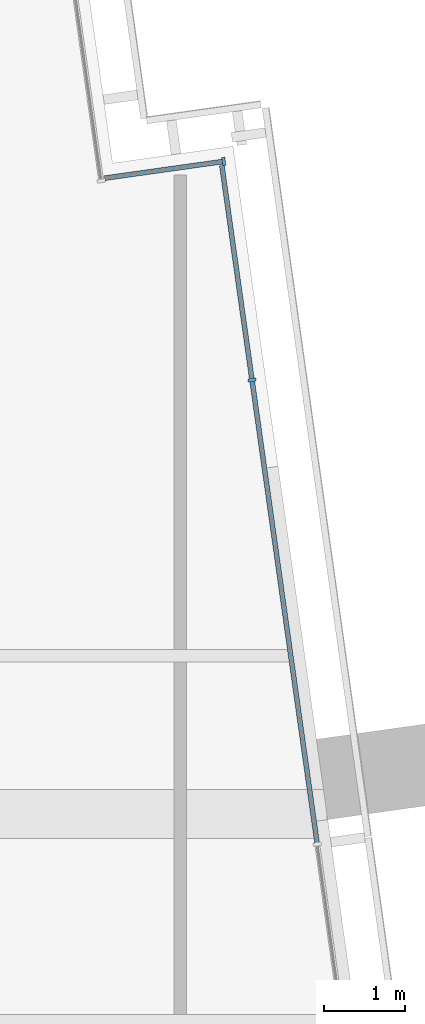
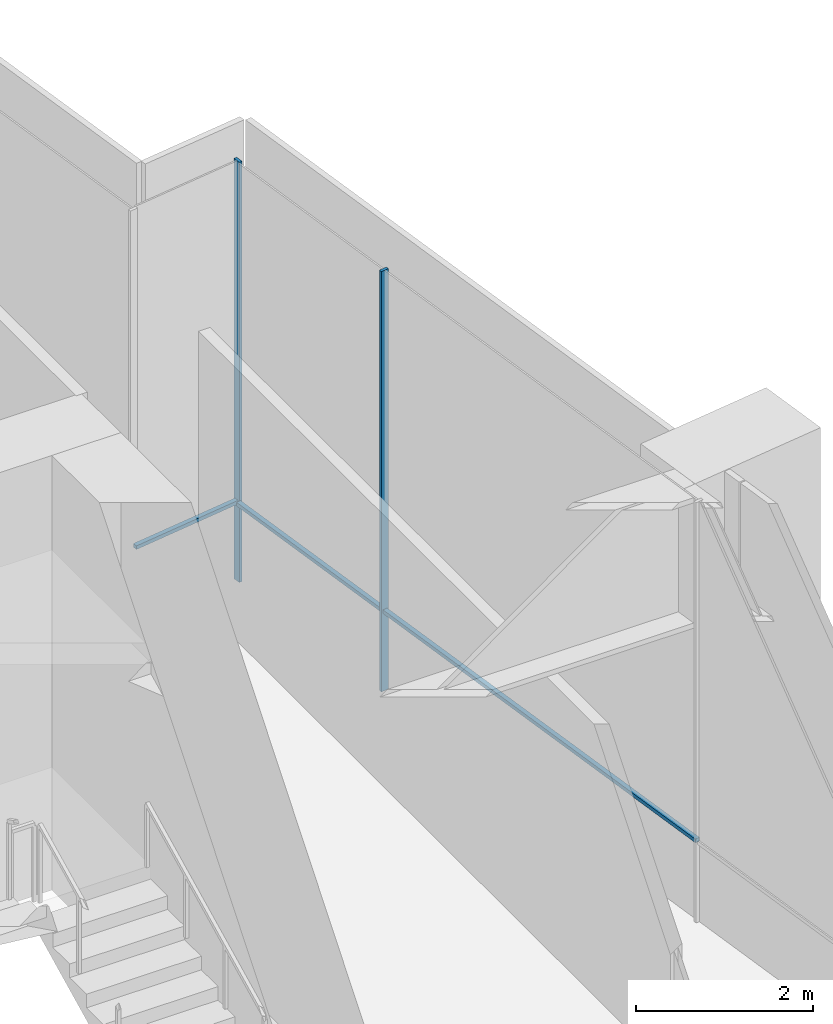
# One storey, part 16 of 25: 5 members, 2 elements without a shape of their own.
"""IFC4 building model written with IfcOpenShell, lengths in metres."""

from ifc_helpers import new_model, si_unit, direction, frame, origin, origin_2d, place, context, subcontext, project, spatial, rectangle, extrude, material, layer, layer_set, material_profile, profile_set, type_object, element, aggregate, save


model = new_model("IFC4")

# Units and contexts
model_context = context("Model", 3, precision=1e-05, world=origin(), true_north=direction((0.0, 1.0)))
body_context = subcontext(model_context, "Body", "Model", "MODEL_VIEW")
ifc_project = project(units=[si_unit("LENGTHUNIT", "METRE"), si_unit("AREAUNIT", "SQUARE_METRE"), si_unit("VOLUMEUNIT", "CUBIC_METRE"), si_unit("PLANEANGLEUNIT", "RADIAN"), si_unit("MASSUNIT", "GRAM", prefix="KILO")], contexts=[model_context])

# Site, building, storey
site_placement = place(None, origin())
site = spatial("IfcSite", under=ifc_project, at=site_placement, CompositionType="ELEMENT")
building_placement = place(site_placement, origin())
building = spatial("IfcBuilding", under=site, at=building_placement, Name="Rattan Terrace Tower", CompositionType="ELEMENT")
storey_placement = place(building_placement, frame((0.0, 0.0, 286.300048828125)))
storey = spatial("IfcBuildingStorey", under=building, at=storey_placement, Name="L66", CompositionType="ELEMENT", Elevation=286.300048828125)

# Curtain wall, member
ifc_material_1 = material(Name="Aluminium and structural silicone glass", Category="aluminium")
ifc_layer = layer(ifc_material_1, 0.10009765625)
ifc_layer_set = layer_set([ifc_layer], Name="Observation Structural Silicone Curtain Wall")
curtain_wall_type = type_object("IfcCurtainWallType", Name="Observation Structural Silicone Curtain Wall", PredefinedType="NOTDEFINED", material=ifc_layer_set)
curtain_wall_1_placement = place(storey_placement, origin())
curtain_wall_1 = element("IfcCurtainWall", 1, at=curtain_wall_1_placement, inside=storey, type_object=curtain_wall_type, Name="Observation curtain wall L66-6", PredefinedType="NOTDEFINED")
ifc_material_2 = material(Name="Aluminium", Category="aluminium")
ifc_material_profile_1 = material_profile(ifc_material_2, rectangle(XDim=0.0400390625, YDim=0.10009765625, at=origin_2d()), Name="Aluminium 40x100")
ifc_profile_set_1 = profile_set([ifc_material_profile_1], Name="Aluminium")
member_type_1 = type_object("IfcMemberType", Name="Observation CW Mullion 40x100", PredefinedType="MULLION", material=ifc_profile_set_1)
member_1_placement = place(storey_placement, frame((22.185546875, 7.8994140625, 0.0), z_axis=(0.0, 0.0, 1.0), x_axis=(-0.139191775431, 0.990265444036, 0.0)))
member_1 = element("IfcMember", 2, at=member_1_placement, type_object=member_type_1, Name="Mullion cwl-L66-006.5", PredefinedType="MULLION", context=body_context, shape_type="SweptSolid", body=[
    extrude(rectangle(XDim=0.0400390625, YDim=0.10009765625, at=origin_2d()), origin(), (0.0, 0.0, 1.0), 5.800048828125),
])

curtain_wall_2_placement = place(storey_placement, origin())
curtain_wall_2 = element("IfcCurtainWall", 3, at=curtain_wall_2_placement, inside=storey, type_object=curtain_wall_type, Name="Observation curtain wall L66-7", PredefinedType="NOTDEFINED")
member_2_placement = place(storey_placement, frame((21.8369140625, 10.59521484375, 0.0), z_axis=(0.0, 0.0, 1.0), x_axis=(-0.990240767803, -0.139367219175, 0.0)))
member_2 = element("IfcMember", 4, at=member_2_placement, type_object=member_type_1, Name="Mullion cwl-L66-007.1", PredefinedType="MULLION", context=body_context, shape_type="SweptSolid", body=[
    extrude(rectangle(XDim=0.0400390625, YDim=0.10009765625, at=origin_2d()), origin(), (0.0, 0.0, 1.0), 5.800048828125),
])

# Member
ifc_material_3 = material(Name="Aluminium", Category="aluminium")
ifc_material_profile_2 = material_profile(ifc_material_3, rectangle(XDim=0.06005859375, YDim=0.050048828125, at=origin_2d()), Name="Aluminium 60x50")
ifc_profile_set_2 = profile_set([ifc_material_profile_2], Name="Aluminium")
member_type_2 = type_object("IfcMemberType", Name="Observation CW Transom 60x50", PredefinedType="USERDEFINED", material=ifc_profile_set_2)
member_3_placement = place(storey_placement, frame((22.987060546875, 2.197509765625, 1.099853515625), z_axis=(-0.139175296196, 0.990267760219, 0.0), x_axis=(-0.990267760219, -0.139175296196, 0.0)))
member_3 = element("IfcMember", 5, at=member_3_placement, type_object=member_type_2, Name="Transom cwl-L66-006.4", ObjectType="TRANSOM", PredefinedType="USERDEFINED", context=body_context, shape_type="SweptSolid", body=[
    extrude(rectangle(XDim=0.06005859375, YDim=0.050048828125, at=origin_2d()), origin(), (0.0, 0.0, 1.0), 5.738037109375),
])

member_4_placement = place(storey_placement, frame((22.182861328125, 7.919189453125, 1.099853515625), z_axis=(-0.139213865706, 0.990262338775, 0.0), x_axis=(-0.990262338775, -0.139213865706, 0.0)))
member_4 = element("IfcMember", 6, at=member_4_placement, type_object=member_type_2, Name="Transom cwl-L66-006.5", ObjectType="TRANSOM", PredefinedType="USERDEFINED", context=body_context, shape_type="SweptSolid", body=[
    extrude(rectangle(XDim=0.06005859375, YDim=0.050048828125, at=origin_2d()), origin(), (0.0, 0.0, 1.0), 2.648193359375),
])

aggregate(curtain_wall_1, [member_1, member_3, member_4])

member_5_placement = place(storey_placement, frame((21.817138671875, 10.59228515625, 1.099853515625), z_axis=(-0.990245042264, -0.139336844629, 0.0), x_axis=(0.139336844629, -0.990245042264, 0.0)))
member_5 = element("IfcMember", 7, at=member_5_placement, type_object=member_type_2, Name="Transom cwl-L66-007.1", ObjectType="TRANSOM", PredefinedType="USERDEFINED", context=body_context, shape_type="SweptSolid", body=[
    extrude(rectangle(XDim=0.06005859375, YDim=0.050048828125, at=origin_2d()), origin(), (0.0, 0.0, 1.0), 1.45947265625),
])

aggregate(curtain_wall_2, [member_2, member_5])

save(model, "model.ifc")
